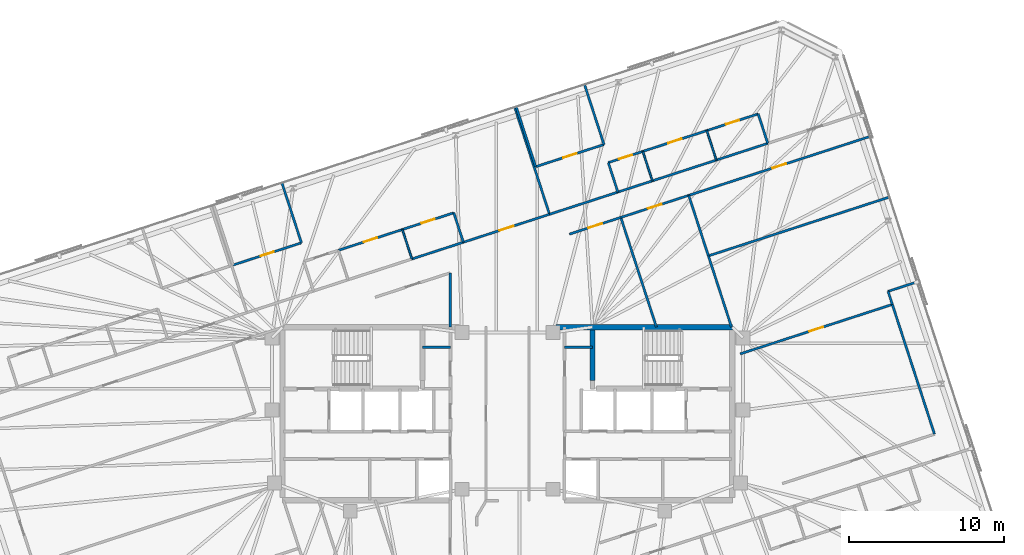
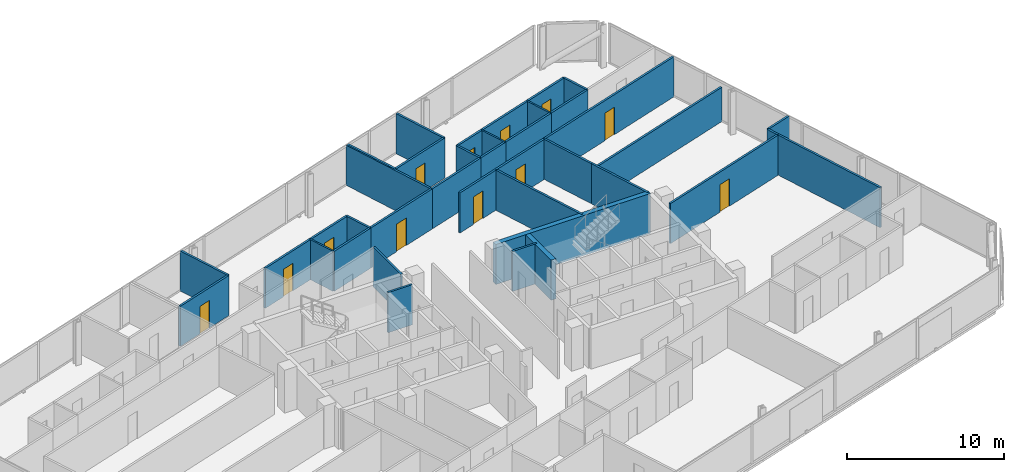
# One storey, part 17 of 20: 39 walls, 12 doors, 12 openings.
"""IFC4 building model written with IfcOpenShell, lengths in metres."""

import ifcopenshell
import ifcopenshell.guid

model = None  # the IFC model being written
_history = None  # IfcOwnerHistory: only IFC2X3 demands one
_inside = {}  # id of a spatial element -> (the spatial element, [elements in it])
_under = {}  # id of a project, library or spatial element -> (it, [spatial elements below it])
_declared = {}  # id of a project -> (the project, [libraries it declares])
_typed = {}  # id of a type object -> (the type object, [elements of that type])
_made_of = {}  # id of a material, layer set ... -> (it, [elements and type objects made of it])


def new_model(schema):
    """Start an empty IFC model of exactly this schema.

    Asked for "IFC4X3", IfcOpenShell would pick the latest addendum, in which some entities
    have other attributes; the version numbers below select the first issue.
    IFC2X3 requires an IfcOwnerHistory on every rooted entity: one is made here for all.
    """
    global model, _history
    if schema == "IFC4X3":
        model = ifcopenshell.file(schema_version=(4, 3, 0, 0))
    else:
        model = ifcopenshell.file(schema=schema)
    _inside.clear()
    _under.clear()
    _declared.clear()
    _typed.clear()
    _made_of.clear()
    _history = None
    if model.schema == "IFC2X3":
        org = make("IfcOrganization", Name="unknown")
        user = make(
            "IfcPersonAndOrganization",
            ThePerson=make("IfcPerson", FamilyName="unknown"),
            TheOrganization=org,
        )
        app = make(
            "IfcApplication",
            ApplicationDeveloper=org,
            Version="unknown",
            ApplicationFullName="unknown",
            ApplicationIdentifier="unknown",
        )
        _history = make(
            "IfcOwnerHistory",
            OwningUser=user,
            OwningApplication=app,
            ChangeAction="ADDED",
            CreationDate=0,
        )
    return model


def make(cls, **values):
    """One entity of the class cls with the attributes given. An attribute that is None is left unset."""
    return model.create_entity(
        cls, **{name: value for name, value in values.items() if value is not None}
    )


def rooted(cls, **values):
    """An entity with a GlobalId (a new one), such as an element, a storey or a relation."""
    return make(cls, GlobalId=ifcopenshell.guid.new(), OwnerHistory=_history, **values)


def si_unit(unit_type, name, prefix=None):
    """IfcSIUnit, for example si_unit("LENGTHUNIT", "METRE", prefix="MILLI")."""
    return make("IfcSIUnit", UnitType=unit_type, Prefix=prefix, Name=name)


def assignment(units):
    """IfcUnitAssignment: the units of a project."""
    return None if units is None else make("IfcUnitAssignment", Units=units)


def point(xyz):
    """IfcCartesianPoint."""
    return None if xyz is None else make("IfcCartesianPoint", Coordinates=xyz)


def direction(xyz):
    """IfcDirection."""
    return None if xyz is None else make("IfcDirection", DirectionRatios=xyz)


def frame(location, z_axis=None, x_axis=None):
    """IfcAxis2Placement3D, a coordinate frame: its origin and axes. An axis left out is left unset."""
    return make(
        "IfcAxis2Placement3D",
        Location=point(location),
        Axis=direction(z_axis),
        RefDirection=direction(x_axis),
    )


def frame_2d(location, x_axis=None):
    """IfcAxis2Placement2D, a coordinate frame in the plane: its origin and x axis."""
    return make(
        "IfcAxis2Placement2D", Location=point(location), RefDirection=direction(x_axis)
    )


def origin():
    """The frame at (0, 0, 0) with its axes left unset."""
    return frame((0.0, 0.0, 0.0))


def place(relative_to, where):
    """IfcLocalPlacement: puts the frame where relative to a parent placement (None: the world)."""
    return make(
        "IfcLocalPlacement", PlacementRelTo=relative_to, RelativePlacement=where
    )


def context(
    kind, dimensions, precision=None, world=None, true_north=None, identifier=None
):
    """IfcGeometricRepresentationContext, for example the 3D "Model" context."""
    return make(
        "IfcGeometricRepresentationContext",
        ContextIdentifier=identifier,
        ContextType=kind,
        CoordinateSpaceDimension=dimensions,
        Precision=precision,
        WorldCoordinateSystem=world,
        TrueNorth=true_north,
    )


def subcontext(parent, identifier, kind, view, scale=None):
    """IfcGeometricRepresentationSubContext, for example "Body" below "Model"."""
    return make(
        "IfcGeometricRepresentationSubContext",
        ContextIdentifier=identifier,
        ContextType=kind,
        ParentContext=parent,
        TargetScale=scale,
        TargetView=view,
    )


def project(units=None, contexts=None):
    """IfcProject with its units and contexts."""
    return rooted(
        "IfcProject",
        Name="project",
        RepresentationContexts=contexts,
        UnitsInContext=assignment(units),
    )


def spatial(cls, under=None, at=None, **own):
    """A site, building, storey or space (cls), placed at a placement, below another one or the project."""
    s = rooted(cls, ObjectPlacement=at, **own)
    if under is not None:
        _under.setdefault(under.id(), (under, []))[1].append(s)
    return s


def profile(cls, at=None, kind="AREA", **sizes):
    """A parametric profile (cls). Its sizes go by their IFC names, for example OverallWidth=200.0."""
    return make(cls, ProfileType=kind, Position=at, **sizes)


def rectangle(**sizes):
    """IfcRectangleProfileDef."""
    return profile("IfcRectangleProfileDef", **sizes)


def extrude(swept, where, along, depth):
    """IfcExtrudedAreaSolid: the profile swept, set in the frame where, extruded along a direction by depth."""
    return make(
        "IfcExtrudedAreaSolid",
        SweptArea=swept,
        Position=where,
        ExtrudedDirection=direction(along),
        Depth=depth,
    )


def shape(context_of_items, identifier, shape_type, items):
    """IfcShapeRepresentation: the items that make up one representation, for example the "Body"."""
    return make(
        "IfcShapeRepresentation",
        ContextOfItems=context_of_items,
        RepresentationIdentifier=identifier,
        RepresentationType=shape_type,
        Items=items,
    )


def material(Name=None, Category=None):
    """IfcMaterial."""
    return make("IfcMaterial", Name=Name, Category=Category)


def layer(
    of_material, thickness, ventilated=None, Name=None, Category=None, Priority=None
):
    """IfcMaterialLayer: one layer of a wall or slab, of a material (None: an air gap)."""
    return make(
        "IfcMaterialLayer",
        Material=of_material,
        LayerThickness=thickness,
        IsVentilated=ventilated,
        Name=Name,
        Category=Category,
        Priority=Priority,
    )


def layer_set(layers, Name=None):
    """IfcMaterialLayerSet."""
    return make("IfcMaterialLayerSet", MaterialLayers=layers, LayerSetName=Name)


def made_of(thing, what):
    """Note that an element or type object is made of a material, layer set ...; save() writes the relation."""
    if what is not None:
        _made_of.setdefault(what.id(), (what, []))[1].append(thing)
    return thing


def type_object(cls, material=None, **own):
    """A type object (cls), such as IfcWallType, which elements share."""
    return made_of(rooted(cls, **own), material)


def element(
    cls,
    number,
    at=None,
    inside=None,
    cuts=None,
    type_object=None,
    material=None,
    context=None,
    identifier="Body",
    shape_type=None,
    held_by="IfcProductDefinitionShape",
    body=None,
    shapes=None,
    **own,
):
    """One element of the class cls, such as IfcWall. Its Tag is "e" and its number.

    at: its placement. inside: the storey or other place that contains it. cuts: it is an
    opening in that element (IfcRelVoidsElement). A single representation is given by context,
    identifier, shape_type and body (its items); several are given by shapes. held_by: the class
    of the entity that holds the representations. save() writes the other relations.
    """
    e = rooted(cls, Tag="e%d" % number, ObjectPlacement=at, **own)
    if body is not None:
        shapes = [shape(context, identifier, shape_type, body)]
    if shapes is not None:
        e.Representation = make(held_by, Representations=shapes)
    if inside is not None:
        _inside.setdefault(inside.id(), (inside, []))[1].append(e)
    if cuts is not None:
        rooted(
            "IfcRelVoidsElement", RelatingBuildingElement=cuts, RelatedOpeningElement=e
        )
    if type_object is not None:
        _typed.setdefault(type_object.id(), (type_object, []))[1].append(e)
    return made_of(e, material)


def fill(opening, filler):
    """IfcRelFillsElement: the door or window that sits in an opening."""
    return rooted(
        "IfcRelFillsElement",
        RelatingOpeningElement=opening,
        RelatedBuildingElement=filler,
    )


def aggregate(whole, parts):
    """IfcRelAggregates: a whole, such as a stair, and the parts it consists of."""
    return rooted("IfcRelAggregates", RelatingObject=whole, RelatedObjects=parts)


def save(model, path):
    """Write the relations noted so far, then the file.

    IfcRelAggregates (storeys below a building ...), IfcRelContainedInSpatialStructure (elements
    in a storey), IfcRelDefinesByType, IfcRelAssociatesMaterial and IfcRelDeclares: one each for
    every whole, place, type object, material and project.
    """
    for whole, parts in _under.values():
        aggregate(whole, parts)
    for where, things in _inside.values():
        rooted(
            "IfcRelContainedInSpatialStructure",
            RelatedElements=things,
            RelatingStructure=where,
        )
    for kind, things in _typed.values():
        rooted("IfcRelDefinesByType", RelatedObjects=things, RelatingType=kind)
    for what, things in _made_of.values():
        rooted("IfcRelAssociatesMaterial", RelatedObjects=things, RelatingMaterial=what)
    for by, libraries in _declared.values():
        rooted("IfcRelDeclares", RelatingContext=by, RelatedDefinitions=libraries)
    model.write(path)


model = new_model("IFC4")

# Units and contexts
model_context = context("Model", 3, precision=1e-05, world=origin(), true_north=direction((0.0, 1.0)))
body_context = subcontext(model_context, "Body", "Model", "MODEL_VIEW")
ifc_project = project(units=[si_unit("LENGTHUNIT", "METRE"), si_unit("AREAUNIT", "SQUARE_METRE"), si_unit("VOLUMEUNIT", "CUBIC_METRE"), si_unit("PLANEANGLEUNIT", "RADIAN"), si_unit("MASSUNIT", "GRAM", prefix="KILO")], contexts=[model_context])

# Site, building, storey
site_placement = place(None, origin())
site = spatial("IfcSite", under=ifc_project, at=site_placement, CompositionType="ELEMENT")
building_placement = place(site_placement, origin())
building = spatial("IfcBuilding", under=site, at=building_placement, Name="Menara Jurai Vektor", CompositionType="ELEMENT")
storey_placement = place(building_placement, frame((0.0, 0.0, 217.60009765625)))
storey = spatial("IfcBuildingStorey", under=building, at=storey_placement, Name="L57", CompositionType="ELEMENT", Elevation=217.60009765625)

# Walls
ifc_material_1 = material(Name="Gypsum Fireboard Partition", Category="gypsum")
ifc_layer_1 = layer(ifc_material_1, 0.14990234375)
ifc_layer_set_1 = layer_set([ifc_layer_1], Name="Gypsum Fireboard Partition")
wall_type_1 = type_object("IfcWallType", Name="INT-WALL-CORR-150", PredefinedType="PARTITIONING", material=ifc_layer_set_1)
for number, where, z_axis, x_axis, name in (
    (1, (-5.5, 4.300048828125, 0.0), (0.0, 0.0, 1.0), (1.0, 0.0, 0.0), "Interior Wall IW-150 L57"),
    (2, (3.699951171875, 4.300048828125, 0.0), (0.0, 0.0, 1.0), (1.0, 0.0, 0.0), "Interior Wall IW-150 L57"),
):
    element("IfcWall", number, at=place(storey_placement, frame(where, z_axis=z_axis, x_axis=x_axis)), inside=storey, type_object=wall_type_1, Name=name, PredefinedType="PARTITIONING", context=body_context, shape_type="SweptSolid", body=[
        extrude(rectangle(XDim=1.800048828125, YDim=0.14990234375, at=frame_2d((0.89990234375, 0.0))), origin(), (0.0, 0.0, 1.0), 3.125),
    ])

# Wall, opening, door
wall_1_placement = place(storey_placement, frame((-2.8564453125, 11.087158203125, 0.0), z_axis=(0.0, 0.0, 1.0), x_axis=(0.95106314138, 0.308996603718, 0.0)))
wall_1 = element("IfcWall", 3, at=wall_1_placement, inside=storey, type_object=wall_type_1, Name="Interior Wall IW-150 L57", PredefinedType="PARTITIONING", context=body_context, shape_type="SweptSolid", body=[
    extrude(rectangle(XDim=5.86181640625, YDim=0.14990234375, at=frame_2d((2.930908203125, 0.0))), origin(), (0.0, 0.0, 1.0), 3.125),
])
opening_1_placement = place(wall_1_placement, frame((2.4560546875, 0.0, 0.0)))
opening_1 = element("IfcOpeningElement", 4, at=opening_1_placement, cuts=wall_1, Name="Opening D57-14", PredefinedType="OPENING", context=body_context, shape_type="SweptSolid", body=[
    extrude(rectangle(XDim=0.949951171875, YDim=2.14990234375, at=frame_2d((0.47509765625, 1.074951171875))), frame((0.0, 0.0849609375, 0.0), z_axis=(0.0, -1.0, 0.0), x_axis=(1.0, 0.0, 0.0)), (0.0, 0.0, 1.0), 0.169921875),
])
ifc_material_2 = material(Name="Solid Core Timber Fire Door", Category="wood")
door_type_1 = type_object("IfcDoorType", Name="DR-ENTRY-950", OperationType="NOTDEFINED", PredefinedType="DOOR", material=ifc_material_2)
door_1_placement = place(opening_1_placement, origin())
door_1 = element("IfcDoor", 5, at=door_1_placement, inside=storey, type_object=door_type_1, Name="Interior Door D57-14", OperationType="SINGLE_SWING_LEFT", OverallHeight=2.14990234375, OverallWidth=0.949951171875, PredefinedType="DOOR", context=body_context, shape_type="SweptSolid", body=[
    extrude(rectangle(XDim=0.949951171875, YDim=2.14990234375, at=frame_2d((0.47509765625, 1.074951171875))), frame((0.0, 0.02490234375, 0.0), z_axis=(0.0, -1.0, 0.0), x_axis=(1.0, 0.0, 0.0)), (0.0, 0.0, 1.0), 0.050048828125),
])
fill(opening_1, door_1)

# Walls
wall_2_placement = place(storey_placement, frame((-6.185302734375, 10.005615234375, 0.0), z_axis=(0.0, 0.0, 1.0), x_axis=(0.951062257173, 0.308999325213, 0.0)))
element("IfcWall", 6, at=wall_2_placement, inside=storey, type_object=wall_type_1, Name="Interior Wall IW-150 L57", PredefinedType="PARTITIONING", context=body_context, shape_type="SweptSolid", body=[
    extrude(rectangle(XDim=3.500244140625, YDim=0.14990234375, at=frame_2d((1.75, 0.0))), origin(), (0.0, 0.0, 1.0), 3.125),
])
wall_3_placement = place(storey_placement, frame((2.718505859375, 12.8984375, 0.0), z_axis=(0.0, 0.0, 1.0), x_axis=(0.951053341802, 0.309026764289, 0.0)))
element("IfcWall", 7, at=wall_3_placement, inside=storey, type_object=wall_type_1, Name="Interior Wall IW-150 L57", PredefinedType="PARTITIONING", context=body_context, shape_type="SweptSolid", body=[
    extrude(rectangle(XDim=4.654052734375, YDim=0.14990234375, at=frame_2d((2.3271484375, 0.0))), origin(), (0.0, 0.0, 1.0), 3.125),
])
wall_4_placement = place(storey_placement, frame((7.144775390625, 14.336669921875, 0.0), z_axis=(0.0, 0.0, 1.0), x_axis=(0.951045519245, 0.309050837767, 0.0)))
element("IfcWall", 8, at=wall_4_placement, inside=storey, type_object=wall_type_1, Name="Interior Wall IW-150 L57", PredefinedType="PARTITIONING", context=body_context, shape_type="SweptSolid", body=[
    extrude(rectangle(XDim=2.35009765625, YDim=0.14990234375, at=frame_2d((1.175048828125, 0.0))), origin(), (0.0, 0.0, 1.0), 3.125),
])
wall_5_placement = place(storey_placement, frame((9.3798828125, 15.06298828125, 0.0), z_axis=(0.0, 0.0, 1.0), x_axis=(0.951069122051, 0.308978195154, 0.0)))
element("IfcWall", 9, at=wall_5_placement, inside=storey, type_object=wall_type_1, Name="Interior Wall IW-150 L57", PredefinedType="PARTITIONING", context=body_context, shape_type="SweptSolid", body=[
    extrude(rectangle(XDim=4.349853515625, YDim=0.14990234375, at=frame_2d((2.1748046875, 0.0))), origin(), (0.0, 0.0, 1.0), 3.125),
])
wall_6_placement = place(storey_placement, frame((13.516845703125, 16.406982421875, 0.0), z_axis=(0.0, 0.0, 1.0), x_axis=(0.951041757107, 0.309062414796, 0.0)))
element("IfcWall", 10, at=wall_6_placement, inside=storey, type_object=wall_type_1, Name="Interior Wall IW-150 L57", PredefinedType="PARTITIONING", context=body_context, shape_type="SweptSolid", body=[
    extrude(rectangle(XDim=3.500244140625, YDim=0.14990234375, at=frame_2d((1.75, 0.0))), origin(), (0.0, 0.0, 1.0), 3.125),
])

# Wall, opening, door
wall_7_placement = place(storey_placement, frame((4.013427734375, 11.61572265625, 0.0), z_axis=(0.0, 0.0, 1.0), x_axis=(0.951054104561, 0.309024416831, 0.0)))
wall_7 = element("IfcWall", 11, at=wall_7_placement, inside=storey, type_object=wall_type_1, Name="Interior Wall IW-150 L57", PredefinedType="PARTITIONING", context=body_context, shape_type="SweptSolid", body=[
    extrude(rectangle(XDim=3.491943359375, YDim=0.14990234375, at=frame_2d((1.74609375, 0.0))), origin(), (0.0, 0.0, 1.0), 3.125),
])
opening_2_placement = place(wall_7_placement, frame((1.285888671875, 0.0, 0.0)))
opening_2 = element("IfcOpeningElement", 12, at=opening_2_placement, cuts=wall_7, Name="Opening D57-48", PredefinedType="OPENING", context=body_context, shape_type="SweptSolid", body=[
    extrude(rectangle(XDim=0.919921875, YDim=2.14990234375, at=frame_2d((0.4599609375, 1.074951171875))), frame((0.0, 0.0849609375, 0.0), z_axis=(0.0, -1.0, 0.0), x_axis=(1.0, 0.0, 0.0)), (0.0, 0.0, 1.0), 0.169921875),
])
door_2_placement = place(opening_2_placement, origin())
door_2 = element("IfcDoor", 13, at=door_2_placement, inside=storey, type_object=door_type_1, Name="Interior Door D57-48", OperationType="SINGLE_SWING_LEFT", OverallHeight=2.14990234375, OverallWidth=0.919921875, PredefinedType="DOOR", context=body_context, shape_type="SweptSolid", body=[
    extrude(rectangle(XDim=0.919921875, YDim=2.14990234375, at=frame_2d((0.4599609375, 1.074951171875))), frame((0.0, 0.02490234375, 0.0), z_axis=(0.0, -1.0, 0.0), x_axis=(1.0, 0.0, 0.0)), (0.0, 0.0, 1.0), 0.050048828125),
])
fill(opening_2, door_2)

wall_8_placement = place(storey_placement, frame((7.33447265625, 12.69482421875, 0.0), z_axis=(0.0, 0.0, 1.0), x_axis=(0.951043772533, 0.30905621289, 0.0)))
wall_8 = element("IfcWall", 14, at=wall_8_placement, inside=storey, type_object=wall_type_1, Name="Interior Wall IW-150 L57", PredefinedType="PARTITIONING", context=body_context, shape_type="SweptSolid", body=[
    extrude(rectangle(XDim=4.6220703125, YDim=0.14990234375, at=frame_2d((2.31103515625, 0.0))), origin(), (0.0, 0.0, 1.0), 3.125),
])
opening_3_placement = place(wall_8_placement, frame((1.85107421875, 0.0, 0.0)))
opening_3 = element("IfcOpeningElement", 15, at=opening_3_placement, cuts=wall_8, Name="Opening D57-49", PredefinedType="OPENING", context=body_context, shape_type="SweptSolid", body=[
    extrude(rectangle(XDim=0.919921875, YDim=2.14990234375, at=frame_2d((0.4599609375, 1.074951171875))), frame((0.0, 0.0849609375, 0.0), z_axis=(0.0, -1.0, 0.0), x_axis=(1.0, 0.0, 0.0)), (0.0, 0.0, 1.0), 0.169921875),
])
door_3_placement = place(opening_3_placement, origin())
door_3 = element("IfcDoor", 16, at=door_3_placement, inside=storey, type_object=door_type_1, Name="Interior Door D57-49", OperationType="SINGLE_SWING_RIGHT", OverallHeight=2.14990234375, OverallWidth=0.919921875, PredefinedType="DOOR", context=body_context, shape_type="SweptSolid", body=[
    extrude(rectangle(XDim=0.919921875, YDim=2.14990234375, at=frame_2d((0.4599609375, 1.074951171875))), frame((0.0, 0.02490234375, 0.0), z_axis=(0.0, -1.0, 0.0), x_axis=(1.0, 0.0, 0.0)), (0.0, 0.0, 1.0), 0.050048828125),
])
fill(opening_3, door_3)

# Walls
wall_9_placement = place(storey_placement, frame((-3.7001953125, 5.599853515625, 0.0), z_axis=(0.0, 0.0, 1.0), x_axis=(0.000139120755, 0.999999990323, 0.0)))
element("IfcWall", 17, at=wall_9_placement, inside=storey, type_object=wall_type_1, Name="Interior Wall IW-150 L57", PredefinedType="PARTITIONING", context=body_context, shape_type="SweptSolid", body=[
    extrude(rectangle(XDim=3.509765625, YDim=0.14990234375, at=frame_2d((1.7548828125, 0.0))), origin(), (0.0, 0.0, 1.0), 3.125),
])
wall_10_placement = place(storey_placement, frame((27.63671875, -1.331787109375, 0.0), z_axis=(0.0, 0.0, 1.0), x_axis=(-0.309040411618, 0.951048907253, 0.0)))
element("IfcWall", 18, at=wall_10_placement, inside=storey, type_object=wall_type_1, Name="Interior Wall IW-150 L57", PredefinedType="PARTITIONING", context=body_context, shape_type="SweptSolid", body=[
    extrude(rectangle(XDim=8.825927734375, YDim=0.14990234375, at=frame_2d((4.4130859375, 0.0))), origin(), (0.0, 0.0, 1.0), 3.125),
])
wall_11_placement = place(storey_placement, frame((24.9091796875, 7.06201171875, 0.0), z_axis=(0.0, 0.0, 1.0), x_axis=(-0.30899324298, 0.951064233263, 0.0)))
element("IfcWall", 19, at=wall_11_placement, inside=storey, type_object=wall_type_1, Name="Interior Wall IW-150 L57", PredefinedType="PARTITIONING", context=body_context, shape_type="SweptSolid", body=[
    extrude(rectangle(XDim=0.89208984375, YDim=0.14990234375, at=frame_2d((0.446044921875, 0.0))), origin(), (0.0, 0.0, 1.0), 3.125),
])
wall_12_placement = place(storey_placement, frame((24.633544921875, 7.910400390625, 0.0), z_axis=(0.0, 0.0, 1.0), x_axis=(0.951054051148, 0.309024581215, 0.0)))
element("IfcWall", 20, at=wall_12_placement, inside=storey, type_object=wall_type_1, Name="Interior Wall IW-150 L57", PredefinedType="PARTITIONING", context=body_context, shape_type="SweptSolid", body=[
    extrude(rectangle(XDim=1.97509765625, YDim=0.14990234375, at=frame_2d((0.987548828125, 0.0))), origin(), (0.0, 0.0, 1.0), 3.125),
])

# Wall, opening, door
wall_13_placement = place(storey_placement, frame((11.730224609375, 14.123291015625, 0.0), z_axis=(0.0, 0.0, 1.0), x_axis=(0.951060263663, 0.309005460926, 0.0)))
wall_13 = element("IfcWall", 21, at=wall_13_placement, inside=storey, type_object=wall_type_1, Name="Interior Wall IW-150 L57", PredefinedType="PARTITIONING", context=body_context, shape_type="SweptSolid", body=[
    extrude(rectangle(XDim=12.326904296875, YDim=0.14990234375, at=frame_2d((6.16357421875, 0.0))), origin(), (0.0, 0.0, 1.0), 3.125),
])
opening_4_placement = place(wall_13_placement, frame((5.70361328125, 0.0, 0.0)))
opening_4 = element("IfcOpeningElement", 22, at=opening_4_placement, cuts=wall_13, Name="Opening D57-54", PredefinedType="OPENING", context=body_context, shape_type="SweptSolid", body=[
    extrude(rectangle(XDim=0.919921875, YDim=2.14990234375, at=frame_2d((0.4599609375, 1.074951171875))), frame((0.0, 0.0849609375, 0.0), z_axis=(0.0, -1.0, 0.0), x_axis=(1.0, 0.0, 0.0)), (0.0, 0.0, 1.0), 0.169921875),
])
door_4_placement = place(opening_4_placement, origin())
door_4 = element("IfcDoor", 23, at=door_4_placement, inside=storey, type_object=door_type_1, Name="Interior Door D57-54", OperationType="SINGLE_SWING_LEFT", OverallHeight=2.14990234375, OverallWidth=0.919921875, PredefinedType="DOOR", context=body_context, shape_type="SweptSolid", body=[
    extrude(rectangle(XDim=0.919921875, YDim=2.14990234375, at=frame_2d((0.4599609375, 1.074951171875))), frame((0.0, 0.02490234375, 0.0), z_axis=(0.0, -1.0, 0.0), x_axis=(1.0, 0.0, 0.0)), (0.0, 0.0, 1.0), 0.050048828125),
])
fill(opening_4, door_4)

wall_14_placement = place(storey_placement, frame((-10.94189453125, 10.568115234375, 0.0), z_axis=(0.0, 0.0, 1.0), x_axis=(0.951057987102, 0.309012467661, 0.0)))
wall_14 = element("IfcWall", 24, at=wall_14_placement, inside=storey, type_object=wall_type_1, Name="Interior Wall IW-150 L57", PredefinedType="PARTITIONING", context=body_context, shape_type="SweptSolid", body=[
    extrude(rectangle(XDim=4.35009765625, YDim=0.14990234375, at=frame_2d((2.175048828125, 0.0))), origin(), (0.0, 0.0, 1.0), 3.125),
])
opening_5_placement = place(wall_14_placement, frame((1.72509765625, 0.0, 0.0)))
opening_5 = element("IfcOpeningElement", 25, at=opening_5_placement, cuts=wall_14, Name="Opening D57-16", PredefinedType="OPENING", context=body_context, shape_type="SweptSolid", body=[
    extrude(rectangle(XDim=0.89990234375, YDim=2.14990234375, at=frame_2d((0.449951171875, 1.074951171875))), frame((0.0, 0.0849609375, 0.0), z_axis=(0.0, -1.0, 0.0), x_axis=(1.0, 0.0, 0.0)), (0.0, 0.0, 1.0), 0.169921875),
])
ifc_material_3 = material(Name="Acoustic Timber Interior Door", Category="wood")
door_type_2 = type_object("IfcDoorType", Name="DR-ROOM-900", OperationType="NOTDEFINED", PredefinedType="DOOR", material=ifc_material_3)
door_5_placement = place(opening_5_placement, origin())
door_5 = element("IfcDoor", 26, at=door_5_placement, inside=storey, type_object=door_type_2, Name="Interior Door D57-16", OperationType="SINGLE_SWING_LEFT", OverallHeight=2.14990234375, OverallWidth=0.89990234375, PredefinedType="DOOR", context=body_context, shape_type="SweptSolid", body=[
    extrude(rectangle(XDim=0.89990234375, YDim=2.14990234375, at=frame_2d((0.449951171875, 1.074951171875))), frame((0.0, 0.02490234375, 0.0), z_axis=(0.0, -1.0, 0.0), x_axis=(1.0, 0.0, 0.0)), (0.0, 0.0, 1.0), 0.050048828125),
])
fill(opening_5, door_5)

wall_15_placement = place(storey_placement, frame((-6.8046875, 11.912353515625, 0.0), z_axis=(0.0, 0.0, 1.0), x_axis=(0.951055596592, 0.309019824916, 0.0)))
wall_15 = element("IfcWall", 27, at=wall_15_placement, inside=storey, type_object=wall_type_1, Name="Interior Wall IW-150 L57", PredefinedType="PARTITIONING", context=body_context, shape_type="SweptSolid", body=[
    extrude(rectangle(XDim=3.5, YDim=0.14990234375, at=frame_2d((1.75, 0.0))), origin(), (0.0, 0.0, 1.0), 3.125),
])
opening_6_placement = place(wall_15_placement, frame((1.31005859375, 0.0, 0.0)))
opening_6 = element("IfcOpeningElement", 28, at=opening_6_placement, cuts=wall_15, Name="Opening D57-17", PredefinedType="OPENING", context=body_context, shape_type="SweptSolid", body=[
    extrude(rectangle(XDim=0.8798828125, YDim=2.14990234375, at=frame_2d((0.43994140625, 1.074951171875))), frame((0.0, 0.0849609375, 0.0), z_axis=(0.0, -1.0, 0.0), x_axis=(1.0, 0.0, 0.0)), (0.0, 0.0, 1.0), 0.169921875),
])
ifc_material_4 = material(Name="Moisture-Resistant Timber Door", Category="wood")
door_type_3 = type_object("IfcDoorType", Name="DR-BATH-880", OperationType="NOTDEFINED", PredefinedType="DOOR", material=ifc_material_4)
door_6_placement = place(opening_6_placement, origin())
door_6 = element("IfcDoor", 29, at=door_6_placement, inside=storey, type_object=door_type_3, Name="Interior Door D57-17", OperationType="SINGLE_SWING_RIGHT", OverallHeight=2.14990234375, OverallWidth=0.8798828125, PredefinedType="DOOR", context=body_context, shape_type="SweptSolid", body=[
    extrude(rectangle(XDim=0.8798828125, YDim=2.14990234375, at=frame_2d((0.43994140625, 1.074951171875))), frame((0.0, 0.02490234375, 0.0), z_axis=(0.0, -1.0, 0.0), x_axis=(1.0, 0.0, 0.0)), (0.0, 0.0, 1.0), 0.050048828125),
])
fill(opening_6, door_6)

# Wall
wall_16_placement = place(storey_placement, frame((-2.8564453125, 11.087158203125, 0.0), z_axis=(0.0, 0.0, 1.0), x_axis=(-0.309058537449, 0.951043017129, 0.0)))
element("IfcWall", 30, at=wall_16_placement, inside=storey, type_object=wall_type_1, Name="Interior Wall IW-150 L57", PredefinedType="PARTITIONING", context=body_context, shape_type="SweptSolid", body=[
    extrude(rectangle(XDim=2.0048828125, YDim=0.14990234375, at=frame_2d((1.00244140625, 0.0))), origin(), (0.0, 0.0, 1.0), 3.125),
])

# Wall, opening, door
wall_17_placement = place(storey_placement, frame((-17.7607421875, 9.6142578125, 0.0), z_axis=(0.0, 0.0, 1.0), x_axis=(0.951050272606, 0.309036209813, 0.0)))
wall_17 = element("IfcWall", 31, at=wall_17_placement, inside=storey, type_object=wall_type_1, Name="Interior Wall IW-150 L57", PredefinedType="PARTITIONING", context=body_context, shape_type="SweptSolid", body=[
    extrude(rectangle(XDim=4.64990234375, YDim=0.14990234375, at=frame_2d((2.324951171875, 0.0))), origin(), (0.0, 0.0, 1.0), 3.125),
])
opening_7_placement = place(wall_17_placement, frame((1.875, 0.0, 0.0)))
opening_7 = element("IfcOpeningElement", 32, at=opening_7_placement, cuts=wall_17, Name="Opening D57-18", PredefinedType="OPENING", context=body_context, shape_type="SweptSolid", body=[
    extrude(rectangle(XDim=0.89990234375, YDim=2.14990234375, at=frame_2d((0.449951171875, 1.074951171875))), frame((0.0, 0.0849609375, 0.0), z_axis=(0.0, -1.0, 0.0), x_axis=(1.0, 0.0, 0.0)), (0.0, 0.0, 1.0), 0.169921875),
])
door_7_placement = place(opening_7_placement, origin())
door_7 = element("IfcDoor", 33, at=door_7_placement, inside=storey, type_object=door_type_2, Name="Interior Door D57-18", OperationType="SINGLE_SWING_LEFT", OverallHeight=2.14990234375, OverallWidth=0.89990234375, PredefinedType="DOOR", context=body_context, shape_type="SweptSolid", body=[
    extrude(rectangle(XDim=0.89990234375, YDim=2.14990234375, at=frame_2d((0.449951171875, 1.074951171875))), frame((0.0, 0.02490234375, 0.0), z_axis=(0.0, -1.0, 0.0), x_axis=(1.0, 0.0, 0.0)), (0.0, 0.0, 1.0), 0.050048828125),
])
fill(opening_7, door_7)

# Walls
wall_18_placement = place(storey_placement, frame((-13.33837890625, 11.05126953125, 0.0), z_axis=(0.0, 0.0, 1.0), x_axis=(-0.309018403393, 0.951056058476, 0.0)))
element("IfcWall", 34, at=wall_18_placement, inside=storey, type_object=wall_type_1, Name="Interior Wall IW-150 L57", PredefinedType="PARTITIONING", context=body_context, shape_type="SweptSolid", body=[
    extrude(rectangle(XDim=4.0791015625, YDim=0.14990234375, at=frame_2d((2.03955078125, 0.0))), origin(), (0.0, 0.0, 1.0), 3.125),
])
wall_19_placement = place(storey_placement, frame((2.718505859375, 12.8984375, 0.0), z_axis=(0.0, 0.0, 1.0), x_axis=(-0.308998913866, 0.951062390819, 0.0)))
element("IfcWall", 35, at=wall_19_placement, inside=storey, type_object=wall_type_1, Name="Interior Wall IW-150 L57", PredefinedType="PARTITIONING", context=body_context, shape_type="SweptSolid", body=[
    extrude(rectangle(XDim=7.283935546875, YDim=0.14990234375, at=frame_2d((3.64208984375, 0.0))), origin(), (0.0, 0.0, 1.0), 3.125),
])
wall_20_placement = place(storey_placement, frame((7.144775390625, 14.336669921875, 0.0), z_axis=(0.0, 0.0, 1.0), x_axis=(-0.308948390121, 0.951078804433, 0.0)))
element("IfcWall", 36, at=wall_20_placement, inside=storey, type_object=wall_type_1, Name="Interior Wall IW-150 L57", PredefinedType="PARTITIONING", context=body_context, shape_type="SweptSolid", body=[
    extrude(rectangle(XDim=2.0048828125, YDim=0.14990234375, at=frame_2d((1.00244140625, 0.0))), origin(), (0.0, 0.0, 1.0), 3.125),
])

# Wall, opening, door
wall_21_placement = place(storey_placement, frame((6.525390625, 16.243408203125, 0.0), z_axis=(0.0, 0.0, 1.0), x_axis=(0.951035595692, 0.309081373955, 0.0)))
wall_21 = element("IfcWall", 37, at=wall_21_placement, inside=storey, type_object=wall_type_1, Name="Interior Wall IW-150 L57", PredefinedType="PARTITIONING", context=body_context, shape_type="SweptSolid", body=[
    extrude(rectangle(XDim=2.349853515625, YDim=0.14990234375, at=frame_2d((1.1748046875, 0.0))), origin(), (0.0, 0.0, 1.0), 3.125),
])
opening_8_placement = place(wall_21_placement, frame((0.735107421875, 0.0, 0.0)))
opening_8 = element("IfcOpeningElement", 38, at=opening_8_placement, cuts=wall_21, Name="Opening D57-20", PredefinedType="OPENING", context=body_context, shape_type="SweptSolid", body=[
    extrude(rectangle(XDim=0.8798828125, YDim=2.14990234375, at=frame_2d((0.43994140625, 1.074951171875))), frame((0.0, 0.0849609375, 0.0), z_axis=(0.0, -1.0, 0.0), x_axis=(1.0, 0.0, 0.0)), (0.0, 0.0, 1.0), 0.169921875),
])
door_8_placement = place(opening_8_placement, origin())
door_8 = element("IfcDoor", 39, at=door_8_placement, inside=storey, type_object=door_type_3, Name="Interior Door D57-20", OperationType="SINGLE_SWING_LEFT", OverallHeight=2.14990234375, OverallWidth=0.8798828125, PredefinedType="DOOR", context=body_context, shape_type="SweptSolid", body=[
    extrude(rectangle(XDim=0.8798828125, YDim=2.14990234375, at=frame_2d((0.43994140625, 1.074951171875))), frame((0.0, 0.02490234375, 0.0), z_axis=(0.0, -1.0, 0.0), x_axis=(1.0, 0.0, 0.0)), (0.0, 0.0, 1.0), 0.050048828125),
])
fill(opening_8, door_8)

wall_22_placement = place(storey_placement, frame((8.76025390625, 16.9697265625, 0.0), z_axis=(0.0, 0.0, 1.0), x_axis=(0.951052627573, 0.309028962374, 0.0)))
wall_22 = element("IfcWall", 40, at=wall_22_placement, inside=storey, type_object=wall_type_1, Name="Interior Wall IW-150 L57", PredefinedType="PARTITIONING", context=body_context, shape_type="SweptSolid", body=[
    extrude(rectangle(XDim=4.349853515625, YDim=0.14990234375, at=frame_2d((2.1748046875, 0.0))), origin(), (0.0, 0.0, 1.0), 3.125),
])
opening_9_placement = place(wall_22_placement, frame((1.72509765625, 0.0, 0.0)))
opening_9 = element("IfcOpeningElement", 41, at=opening_9_placement, cuts=wall_22, Name="Opening D57-21", PredefinedType="OPENING", context=body_context, shape_type="SweptSolid", body=[
    extrude(rectangle(XDim=0.89990234375, YDim=2.14990234375, at=frame_2d((0.449951171875, 1.074951171875))), frame((0.0, 0.0849609375, 0.0), z_axis=(0.0, -1.0, 0.0), x_axis=(1.0, 0.0, 0.0)), (0.0, 0.0, 1.0), 0.169921875),
])
door_9_placement = place(opening_9_placement, origin())
door_9 = element("IfcDoor", 42, at=door_9_placement, inside=storey, type_object=door_type_2, Name="Interior Door D57-21", OperationType="SINGLE_SWING_RIGHT", OverallHeight=2.14990234375, OverallWidth=0.89990234375, PredefinedType="DOOR", context=body_context, shape_type="SweptSolid", body=[
    extrude(rectangle(XDim=0.89990234375, YDim=2.14990234375, at=frame_2d((0.449951171875, 1.074951171875))), frame((0.0, 0.02490234375, 0.0), z_axis=(0.0, -1.0, 0.0), x_axis=(1.0, 0.0, 0.0)), (0.0, 0.0, 1.0), 0.050048828125),
])
fill(opening_9, door_9)

wall_23_placement = place(storey_placement, frame((12.897216796875, 18.31396484375, 0.0), z_axis=(0.0, 0.0, 1.0), x_axis=(0.951062257173, 0.308999325213, 0.0)))
wall_23 = element("IfcWall", 43, at=wall_23_placement, inside=storey, type_object=wall_type_1, Name="Interior Wall IW-150 L57", PredefinedType="PARTITIONING", context=body_context, shape_type="SweptSolid", body=[
    extrude(rectangle(XDim=3.500244140625, YDim=0.14990234375, at=frame_2d((1.75, 0.0))), origin(), (0.0, 0.0, 1.0), 3.125),
])
opening_10_placement = place(wall_23_placement, frame((1.31005859375, 0.0, 0.0)))
opening_10 = element("IfcOpeningElement", 44, at=opening_10_placement, cuts=wall_23, Name="Opening D57-22", PredefinedType="OPENING", context=body_context, shape_type="SweptSolid", body=[
    extrude(rectangle(XDim=0.8798828125, YDim=2.14990234375, at=frame_2d((0.43994140625, 1.074951171875))), frame((0.0, 0.0849609375, 0.0), z_axis=(0.0, -1.0, 0.0), x_axis=(1.0, 0.0, 0.0)), (0.0, 0.0, 1.0), 0.169921875),
])
door_10_placement = place(opening_10_placement, origin())
door_10 = element("IfcDoor", 45, at=door_10_placement, inside=storey, type_object=door_type_3, Name="Interior Door D57-22", OperationType="SINGLE_SWING_LEFT", OverallHeight=2.14990234375, OverallWidth=0.8798828125, PredefinedType="DOOR", context=body_context, shape_type="SweptSolid", body=[
    extrude(rectangle(XDim=0.8798828125, YDim=2.14990234375, at=frame_2d((0.43994140625, 1.074951171875))), frame((0.0, 0.02490234375, 0.0), z_axis=(0.0, -1.0, 0.0), x_axis=(1.0, 0.0, 0.0)), (0.0, 0.0, 1.0), 0.050048828125),
])
fill(opening_10, door_10)

# Walls
wall_24_placement = place(storey_placement, frame((16.845703125, 17.48876953125, 0.0), z_axis=(0.0, 0.0, 1.0), x_axis=(-0.309058537449, 0.951043017129, 0.0)))
element("IfcWall", 46, at=wall_24_placement, inside=storey, type_object=wall_type_1, Name="Interior Wall IW-150 L57", PredefinedType="PARTITIONING", context=body_context, shape_type="SweptSolid", body=[
    extrude(rectangle(XDim=2.0048828125, YDim=0.14990234375, at=frame_2d((1.00244140625, 0.0))), origin(), (0.0, 0.0, 1.0), 3.125),
])
wall_25_placement = place(storey_placement, frame((1.8232421875, 15.9775390625, 0.0), z_axis=(0.0, 0.0, 1.0), x_axis=(-0.309018403393, 0.951056058476, 0.0)))
element("IfcWall", 47, at=wall_25_placement, inside=storey, type_object=wall_type_1, Name="Interior Wall IW-150 L57", PredefinedType="PARTITIONING", context=body_context, shape_type="SweptSolid", body=[
    extrude(rectangle(XDim=4.0791015625, YDim=0.14990234375, at=frame_2d((2.03955078125, 0.0))), origin(), (0.0, 0.0, 1.0), 3.125),
])

# Wall, opening, door
wall_26_placement = place(storey_placement, frame((1.8232421875, 15.9775390625, 0.0), z_axis=(0.0, 0.0, 1.0), x_axis=(0.951050272606, 0.309036209813, 0.0)))
wall_26 = element("IfcWall", 48, at=wall_26_placement, inside=storey, type_object=wall_type_1, Name="Interior Wall IW-150 L57", PredefinedType="PARTITIONING", context=body_context, shape_type="SweptSolid", body=[
    extrude(rectangle(XDim=4.64990234375, YDim=0.14990234375, at=frame_2d((2.324951171875, 0.0))), origin(), (0.0, 0.0, 1.0), 3.125),
])
opening_11_placement = place(wall_26_placement, frame((1.875, 0.0, 0.0)))
opening_11 = element("IfcOpeningElement", 49, at=opening_11_placement, cuts=wall_26, Name="Opening D57-23", PredefinedType="OPENING", context=body_context, shape_type="SweptSolid", body=[
    extrude(rectangle(XDim=0.89990234375, YDim=2.14990234375, at=frame_2d((0.449951171875, 1.074951171875))), frame((0.0, 0.0849609375, 0.0), z_axis=(0.0, -1.0, 0.0), x_axis=(1.0, 0.0, 0.0)), (0.0, 0.0, 1.0), 0.169921875),
])
door_11_placement = place(opening_11_placement, origin())
door_11 = element("IfcDoor", 50, at=door_11_placement, inside=storey, type_object=door_type_2, Name="Interior Door D57-23", OperationType="SINGLE_SWING_RIGHT", OverallHeight=2.14990234375, OverallWidth=0.89990234375, PredefinedType="DOOR", context=body_context, shape_type="SweptSolid", body=[
    extrude(rectangle(XDim=0.89990234375, YDim=2.14990234375, at=frame_2d((0.449951171875, 1.074951171875))), frame((0.0, 0.02490234375, 0.0), z_axis=(0.0, -1.0, 0.0), x_axis=(1.0, 0.0, 0.0)), (0.0, 0.0, 1.0), 0.050048828125),
])
fill(opening_11, door_11)

# Walls
wall_27_placement = place(storey_placement, frame((6.24560546875, 17.41455078125, 0.0), z_axis=(0.0, 0.0, 1.0), x_axis=(-0.308981853652, 0.95106793349, 0.0)))
element("IfcWall", 51, at=wall_27_placement, inside=storey, type_object=wall_type_1, Name="Interior Wall IW-150 L57", PredefinedType="PARTITIONING", context=body_context, shape_type="SweptSolid", body=[
    extrude(rectangle(XDim=4.07861328125, YDim=0.14990234375, at=frame_2d((2.039306640625, 0.0))), origin(), (0.0, 0.0, 1.0), 3.125),
])
wall_28_placement = place(storey_placement, frame((9.6396484375, 5.60009765625, 0.0), z_axis=(0.0, 0.0, 1.0), x_axis=(-0.309012069377, 0.95105811651, 0.0)))
element("IfcWall", 52, at=wall_28_placement, inside=storey, type_object=wall_type_1, Name="Interior Wall IW-150 L57", PredefinedType="PARTITIONING", context=body_context, shape_type="SweptSolid", body=[
    extrude(rectangle(XDim=7.459716796875, YDim=0.14990234375, at=frame_2d((3.72998046875, 0.0))), origin(), (0.0, 0.0, 1.0), 3.125),
])
wall_29_placement = place(storey_placement, frame((14.49951171875, 5.599853515625, 0.0), z_axis=(0.0, 0.0, 1.0), x_axis=(-0.308974360462, 0.951070367837, 0.0)))
element("IfcWall", 53, at=wall_29_placement, inside=storey, type_object=wall_type_1, Name="Interior Wall IW-150 L57", PredefinedType="PARTITIONING", context=body_context, shape_type="SweptSolid", body=[
    extrude(rectangle(XDim=4.843017578125, YDim=0.14990234375, at=frame_2d((2.42138671875, 0.0))), origin(), (0.0, 0.0, 1.0), 3.125),
])
wall_30_placement = place(storey_placement, frame((13.003173828125, 10.205810546875, 0.0), z_axis=(0.0, 0.0, 1.0), x_axis=(-0.309035144366, 0.951050618814, 0.0)))
element("IfcWall", 54, at=wall_30_placement, inside=storey, type_object=wall_type_1, Name="Interior Wall IW-150 L57", PredefinedType="PARTITIONING", context=body_context, shape_type="SweptSolid", body=[
    extrude(rectangle(XDim=4.119140625, YDim=0.14990234375, at=frame_2d((2.0595703125, 0.0))), origin(), (0.0, 0.0, 1.0), 3.125),
])

# Wall, opening, door
wall_31_placement = place(storey_placement, frame((15.06396484375, 3.86328125, 0.0), z_axis=(0.0, 0.0, 1.0), x_axis=(0.951061448945, 0.309001812827, 0.0)))
wall_31 = element("IfcWall", 55, at=wall_31_placement, inside=storey, type_object=wall_type_1, Name="Interior Wall IW-150 L57", PredefinedType="PARTITIONING", context=body_context, shape_type="SweptSolid", body=[
    extrude(rectangle(XDim=10.351806640625, YDim=0.14990234375, at=frame_2d((5.17578125, 0.0))), origin(), (0.0, 0.0, 1.0), 3.125),
])
opening_12_placement = place(wall_31_placement, frame((4.716064453125, 0.0, 0.0)))
opening_12 = element("IfcOpeningElement", 56, at=opening_12_placement, cuts=wall_31, Name="Opening D57-53", PredefinedType="OPENING", context=body_context, shape_type="SweptSolid", body=[
    extrude(rectangle(XDim=0.919921875, YDim=2.14990234375, at=frame_2d((0.4599609375, 1.074951171875))), frame((0.0, 0.0849609375, 0.0), z_axis=(0.0, -1.0, 0.0), x_axis=(1.0, 0.0, 0.0)), (0.0, 0.0, 1.0), 0.169921875),
])
door_12_placement = place(opening_12_placement, origin())
door_12 = element("IfcDoor", 57, at=door_12_placement, inside=storey, type_object=door_type_1, Name="Interior Door D57-53", OperationType="SINGLE_SWING_RIGHT", OverallHeight=2.14990234375, OverallWidth=0.919921875, PredefinedType="DOOR", context=body_context, shape_type="SweptSolid", body=[
    extrude(rectangle(XDim=0.919921875, YDim=2.14990234375, at=frame_2d((0.4599609375, 1.074951171875))), frame((0.0, 0.02490234375, 0.0), z_axis=(0.0, -1.0, 0.0), x_axis=(1.0, 0.0, 0.0)), (0.0, 0.0, 1.0), 0.050048828125),
])
fill(opening_12, door_12)

# Walls
ifc_layer_2 = layer(ifc_material_1, 0.14990234375)
ifc_layer_set_2 = layer_set([ifc_layer_2], Name="Gypsum Fireboard Partition")
wall_type_2 = type_object("IfcWallType", Name="INT-WALL-CORR-150-H1", PredefinedType="PARTITIONING", material=ifc_layer_set_2)
wall_32_placement = place(storey_placement, frame((13.003173828125, 10.205810546875, 0.0), z_axis=(0.0, 0.0, 1.0), x_axis=(0.951060263663, 0.309005460926, 0.0)))
element("IfcWall", 58, at=wall_32_placement, inside=storey, type_object=wall_type_2, Name="Interior Wall IW-150 L57", PredefinedType="PARTITIONING", context=body_context, shape_type="SweptSolid", body=[
    extrude(rectangle(XDim=12.326904296875, YDim=0.14990234375, at=frame_2d((6.16357421875, 0.0))), origin(), (0.0, 0.0, 1.0), 2.6748046875),
])
ifc_material_5 = material(Name="Gypsum Acoustic Stud Partition", Category="gypsum")
ifc_layer_3 = layer(ifc_material_5, 0.1201171875)
ifc_layer_set_3 = layer_set([ifc_layer_3], Name="Gypsum Acoustic Stud Partition")
wall_type_3 = type_object("IfcWallType", Name="INT-WALL-PART-120", PredefinedType="PARTITIONING", material=ifc_layer_set_3)
for number, where, z_axis, x_axis, name in (
    (59, (-6.185302734375, 10.005615234375, 0.0), (0.0, 0.0, 1.0), (-0.308948390121, 0.951078804433, 0.0), "Interior Wall IW-120 L57"),
    (60, (9.3798828125, 15.06298828125, 0.0), (0.0, 0.0, 1.0), (-0.309058537449, 0.951043017129, 0.0), "Interior Wall IW-120 L57"),
):
    element("IfcWall", number, at=place(storey_placement, frame(where, z_axis=z_axis, x_axis=x_axis)), inside=storey, type_object=wall_type_3, Name=name, PredefinedType="PARTITIONING", context=body_context, shape_type="SweptSolid", body=[
        extrude(rectangle(XDim=2.0048828125, YDim=0.1201171875, at=frame_2d((1.00244140625, 0.0))), origin(), (0.0, 0.0, 1.0), 3.125),
    ])
wall_33_placement = place(storey_placement, frame((13.516845703125, 16.406982421875, 0.0), z_axis=(0.0, 0.0, 1.0), x_axis=(-0.309022749039, 0.951054646472, 0.0)))
element("IfcWall", 61, at=wall_33_placement, inside=storey, type_object=wall_type_3, Name="Interior Wall IW-120 L57", PredefinedType="PARTITIONING", context=body_context, shape_type="SweptSolid", body=[
    extrude(rectangle(XDim=2.005126953125, YDim=0.1201171875, at=frame_2d((1.00244140625, 0.0))), origin(), (0.0, 0.0, 1.0), 3.125),
])
ifc_material_6 = material(Name="Concrete C50/60", Category="concrete")
ifc_layer_4 = layer(ifc_material_6, 0.35009765625)
ifc_layer_set_4 = layer_set([ifc_layer_4], Name="Concrete C50/60")
wall_type_4 = type_object("IfcWallType", Name="STR-WALL-CORE350", PredefinedType="SHEAR", material=ifc_layer_set_4)
wall_34_placement = place(storey_placement, frame((3.14990234375, 5.60009765625, 0.0), z_axis=(0.0, 0.0, 1.0), x_axis=(1.0, 0.0, 0.0)))
element("IfcWall", 62, at=wall_34_placement, inside=storey, type_object=wall_type_4, Name="Core Shear Wall CW-E-N L57", PredefinedType="SHEAR", context=body_context, shape_type="SweptSolid", body=[
    extrude(rectangle(XDim=11.41015625, YDim=0.35009765625, at=frame_2d((5.705078125, 0.0))), origin(), (0.0, 0.0, 1.0), 3.125),
])
wall_35_placement = place(storey_placement, frame((5.5, 2.14990234375, 0.0), z_axis=(0.0, 0.0, 1.0), x_axis=(0.0, 1.0, 0.0)))
element("IfcWall", 63, at=wall_35_placement, inside=storey, type_object=wall_type_4, Name="Core Shear Wall CW-E-ST L57", PredefinedType="SHEAR", context=body_context, shape_type="SweptSolid", body=[
    extrude(rectangle(XDim=3.275146484375, YDim=0.35009765625, at=frame_2d((1.6376953125, 0.0))), origin(), (0.0, 0.0, 1.0), 3.125),
])

save(model, "model.ifc")
